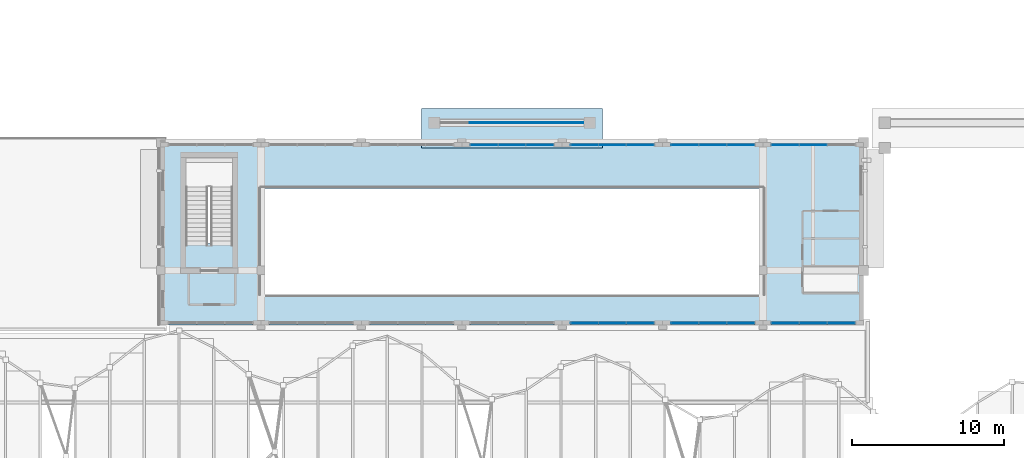
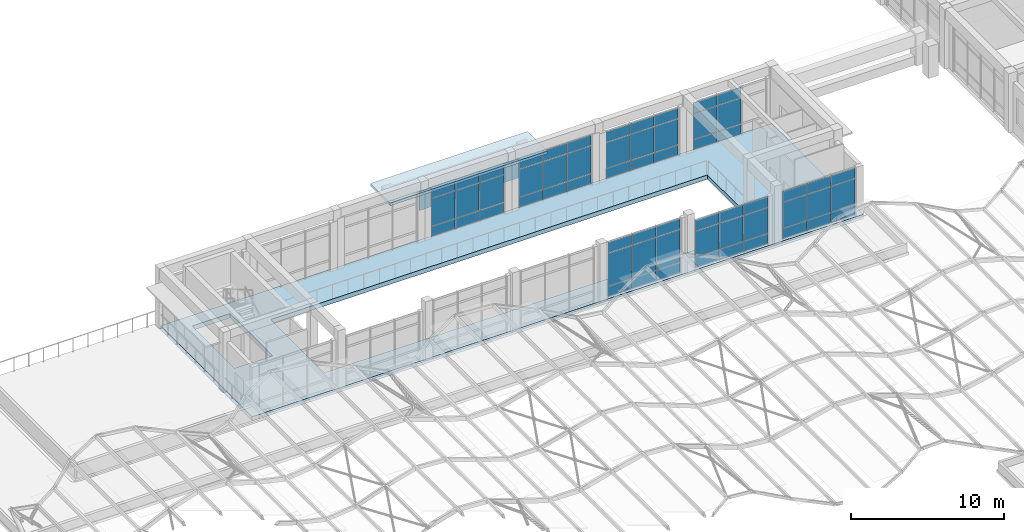
# One storey, part 39 of 79: 64 plates, 2 slabs, 7 elements without a shape of their own.
"""IFC4 building model written with IfcOpenShell, lengths in metres."""

from ifc_helpers import new_model, si_unit, direction, frame, origin, origin_2d, place, context, subcontext, project, spatial, polyline, rectangle, outline, extrude, material, layer, layer_set, type_object, element, aggregate, save


model = new_model("IFC4")

# Units and contexts
model_context = context("Model", 3, precision=1e-05, world=origin(), true_north=direction((0.0, 1.0)))
body_context = subcontext(model_context, "Body", "Model", "MODEL_VIEW")
ifc_project = project(units=[si_unit("LENGTHUNIT", "METRE"), si_unit("AREAUNIT", "SQUARE_METRE"), si_unit("VOLUMEUNIT", "CUBIC_METRE"), si_unit("PLANEANGLEUNIT", "RADIAN"), si_unit("MASSUNIT", "GRAM", prefix="KILO")], contexts=[model_context])

# Site, building, storey
site_placement = place(None, origin())
site = spatial("IfcSite", under=ifc_project, at=site_placement, CompositionType="ELEMENT")
building_placement = place(site_placement, origin())
building = spatial("IfcBuilding", under=site, at=building_placement, Name="Kolvaren Faculty of Natural Sciences", CompositionType="ELEMENT")
storey_placement = place(building_placement, frame((0.0, 0.0, 10.199951171875)))
storey = spatial("IfcBuildingStorey", under=building, at=storey_placement, Name="L02", CompositionType="ELEMENT", Elevation=10.199951171875)

# Slab
ifc_material_1 = material(Name="Precast concrete C35/45", Category="concrete")
ifc_layer_1 = layer(ifc_material_1, 0.139892578125)
ifc_layer_set_1 = layer_set([ifc_layer_1], Name="Precast concrete C35/45")
slab_type_1 = type_object("IfcSlabType", Name="ChhajjaSlopedEaveSlab_140", PredefinedType="ROOF", material=ifc_layer_set_1)
slab_1_placement = place(storey_placement, frame((0.0, 0.0, 3.780029296875)))
element("IfcSlab", 1, at=slab_1_placement, inside=storey, type_object=slab_type_1, Name="North Civic Square Grand Atrium Pishtaq Portal projecting Mughal chhajja cornice slab", PredefinedType="ROOF", context=body_context, shape_type="SweptSolid", body=[
    extrude(outline(polyline([(76.75, 83.85009765625), (88.64990234375, 83.85009765625), (88.64990234375, 86.449951171875), (76.75, 86.449951171875), (76.75, 83.85009765625)])), origin(), (0.0, 0.0, 1.0), 0.219970703125),
])

# Curtain wall, plates
ifc_material_2 = material(Name="Thermally broken anodised aluminium framing", Category="aluminium")
ifc_layer_2 = layer(ifc_material_2, 0.179931640625)
ifc_layer_set_2 = layer_set([ifc_layer_2], Name="Thermally broken anodised aluminium framing")
curtain_wall_type = type_object("IfcCurtainWallType", Name="AtriumCurtainWall_CW01", PredefinedType="NOTDEFINED", material=ifc_layer_set_2)
curtain_wall_1_placement = place(storey_placement, origin())
curtain_wall_1 = element("IfcCurtainWall", 2, at=curtain_wall_1_placement, inside=storey, type_object=curtain_wall_type, Name="L02 unitised curtain wall CW-01 (CW-L02-119)", PredefinedType="NOTDEFINED")
ifc_material_3 = material(Name="Double low-E solar control insulated glazing", Category="glass")
ifc_layer_3 = layer(ifc_material_3, 0.035888671875)
ifc_layer_set_3 = layer_set([ifc_layer_3], Name="Double low-E solar control insulated glazing")
plate_type_1 = type_object("IfcPlateType", Name="EnvelopePlate_CWPGL1", PredefinedType="CURTAIN_PANEL", material=ifc_layer_set_3)
plate_1_placement = place(storey_placement, frame((104.333251953125, 72.35009765625, 0.920166015625), z_axis=(0.0, 0.0, 1.0), x_axis=(-1.0, 0.0, 0.0)))
plate_1 = element("IfcPlate", 3, at=plate_1_placement, type_object=plate_type_1, Name="CW-L02-119 panel 1 V1", PredefinedType="CURTAIN_PANEL", context=body_context, shape_type="SweptSolid", body=[
    extrude(rectangle(XDim=1.783203125, YDim=0.035888671875, at=origin_2d()), origin(), (0.0, 0.0, 1.0), 2.044921875),
])
plate_2_placement = place(storey_placement, frame((102.5, 72.35009765625, 0.920166015625), z_axis=(0.0, 0.0, 1.0), x_axis=(-1.0, 0.0, 0.0)))
plate_2 = element("IfcPlate", 4, at=plate_2_placement, type_object=plate_type_1, Name="CW-L02-119 panel 2 V1", PredefinedType="CURTAIN_PANEL", context=body_context, shape_type="SweptSolid", body=[
    extrude(rectangle(XDim=1.783203125, YDim=0.035888671875, at=origin_2d()), origin(), (0.0, 0.0, 1.0), 2.044921875),
])
plate_3_placement = place(storey_placement, frame((100.666748046875, 72.35009765625, 0.920166015625), z_axis=(0.0, 0.0, 1.0), x_axis=(-1.0, 0.0, 0.0)))
plate_3 = element("IfcPlate", 5, at=plate_3_placement, type_object=plate_type_1, Name="CW-L02-119 panel 3 V1", PredefinedType="CURTAIN_PANEL", context=body_context, shape_type="SweptSolid", body=[
    extrude(rectangle(XDim=1.783203125, YDim=0.035888671875, at=origin_2d()), origin(), (0.0, 0.0, 1.0), 2.044921875),
])

curtain_wall_2_placement = place(storey_placement, origin())
curtain_wall_2 = element("IfcCurtainWall", 6, at=curtain_wall_2_placement, inside=storey, type_object=curtain_wall_type, Name="L02 unitised curtain wall CW-01 (CW-L02-120)", PredefinedType="NOTDEFINED")
plate_4_placement = place(storey_placement, frame((97.7333984375, 72.35009765625, 0.920166015625), z_axis=(0.0, 0.0, 1.0), x_axis=(-1.0, 0.0, 0.0)))
plate_4 = element("IfcPlate", 7, at=plate_4_placement, type_object=plate_type_1, Name="CW-L02-120 panel 1 V1", PredefinedType="CURTAIN_PANEL", context=body_context, shape_type="SweptSolid", body=[
    extrude(rectangle(XDim=1.783203125, YDim=0.035888671875, at=origin_2d()), origin(), (0.0, 0.0, 1.0), 2.044921875),
])
plate_5_placement = place(storey_placement, frame((95.89990234375, 72.35009765625, 0.920166015625), z_axis=(0.0, 0.0, 1.0), x_axis=(-1.0, 0.0, 0.0)))
plate_5 = element("IfcPlate", 8, at=plate_5_placement, type_object=plate_type_1, Name="CW-L02-120 panel 2 V1", PredefinedType="CURTAIN_PANEL", context=body_context, shape_type="SweptSolid", body=[
    extrude(rectangle(XDim=1.783203125, YDim=0.035888671875, at=origin_2d()), origin(), (0.0, 0.0, 1.0), 2.044921875),
])
plate_6_placement = place(storey_placement, frame((94.066650390625, 72.35009765625, 0.920166015625), z_axis=(0.0, 0.0, 1.0), x_axis=(-1.0, 0.0, 0.0)))
plate_6 = element("IfcPlate", 9, at=plate_6_placement, type_object=plate_type_1, Name="CW-L02-120 panel 3 V1", PredefinedType="CURTAIN_PANEL", context=body_context, shape_type="SweptSolid", body=[
    extrude(rectangle(XDim=1.783203125, YDim=0.035888671875, at=origin_2d()), origin(), (0.0, 0.0, 1.0), 2.044921875),
])

curtain_wall_3_placement = place(storey_placement, origin())
curtain_wall_3 = element("IfcCurtainWall", 10, at=curtain_wall_3_placement, inside=storey, type_object=curtain_wall_type, Name="L02 unitised curtain wall CW-01 (CW-L02-121)", PredefinedType="NOTDEFINED")
plate_7_placement = place(storey_placement, frame((91.13330078125, 72.35009765625, 0.919921875), z_axis=(0.0, 0.0, 1.0), x_axis=(-1.0, 0.0, 0.0)))
plate_7 = element("IfcPlate", 11, at=plate_7_placement, type_object=plate_type_1, Name="CW-L02-121 panel 1 V1", PredefinedType="CURTAIN_PANEL", context=body_context, shape_type="SweptSolid", body=[
    extrude(rectangle(XDim=1.783203125, YDim=0.035888671875, at=origin_2d()), origin(), (0.0, 0.0, 1.0), 2.610107421875),
])
plate_8_placement = place(storey_placement, frame((89.300048828125, 72.35009765625, 0.919921875), z_axis=(0.0, 0.0, 1.0), x_axis=(-1.0, 0.0, 0.0)))
plate_8 = element("IfcPlate", 12, at=plate_8_placement, type_object=plate_type_1, Name="CW-L02-121 panel 2 V1", PredefinedType="CURTAIN_PANEL", context=body_context, shape_type="SweptSolid", body=[
    extrude(rectangle(XDim=1.783203125, YDim=0.035888671875, at=origin_2d()), origin(), (0.0, 0.0, 1.0), 2.610107421875),
])
plate_9_placement = place(storey_placement, frame((87.466796875, 72.35009765625, 0.919921875), z_axis=(0.0, 0.0, 1.0), x_axis=(-1.0, 0.0, 0.0)))
plate_9 = element("IfcPlate", 13, at=plate_9_placement, type_object=plate_type_1, Name="CW-L02-121 panel 3 V1", PredefinedType="CURTAIN_PANEL", context=body_context, shape_type="SweptSolid", body=[
    extrude(rectangle(XDim=1.783203125, YDim=0.035888671875, at=origin_2d()), origin(), (0.0, 0.0, 1.0), 2.610107421875),
])

curtain_wall_4_placement = place(storey_placement, origin())
curtain_wall_4 = element("IfcCurtainWall", 14, at=curtain_wall_4_placement, inside=storey, type_object=curtain_wall_type, Name="L02 unitised curtain wall CW-01 (CW-L02-129)", PredefinedType="NOTDEFINED")
plate_10_placement = place(storey_placement, frame((80.86669921875, 84.050048828125, 0.919921875), z_axis=(0.0, 0.0, 1.0), x_axis=(1.0, 0.0, 0.0)))
plate_10 = element("IfcPlate", 15, at=plate_10_placement, type_object=plate_type_1, Name="CW-L02-129 panel 1 V1", PredefinedType="CURTAIN_PANEL", context=body_context, shape_type="SweptSolid", body=[
    extrude(rectangle(XDim=1.783203125, YDim=0.035888671875, at=origin_2d()), origin(), (0.0, 0.0, 1.0), 2.195068359375),
])
plate_11_placement = place(storey_placement, frame((82.699951171875, 84.050048828125, 0.919921875), z_axis=(0.0, 0.0, 1.0), x_axis=(1.0, 0.0, 0.0)))
plate_11 = element("IfcPlate", 16, at=plate_11_placement, type_object=plate_type_1, Name="CW-L02-129 panel 2 V1", PredefinedType="CURTAIN_PANEL", context=body_context, shape_type="SweptSolid", body=[
    extrude(rectangle(XDim=1.783203125, YDim=0.035888671875, at=origin_2d()), origin(), (0.0, 0.0, 1.0), 2.195068359375),
])
plate_12_placement = place(storey_placement, frame((84.533203125, 84.050048828125, 0.919921875), z_axis=(0.0, 0.0, 1.0), x_axis=(1.0, 0.0, 0.0)))
plate_12 = element("IfcPlate", 17, at=plate_12_placement, type_object=plate_type_1, Name="CW-L02-129 panel 3 V1", PredefinedType="CURTAIN_PANEL", context=body_context, shape_type="SweptSolid", body=[
    extrude(rectangle(XDim=1.783203125, YDim=0.035888671875, at=origin_2d()), origin(), (0.0, 0.0, 1.0), 2.195068359375),
])

curtain_wall_5_placement = place(storey_placement, origin())
curtain_wall_5 = element("IfcCurtainWall", 18, at=curtain_wall_5_placement, inside=storey, type_object=curtain_wall_type, Name="L02 unitised curtain wall CW-01 (CW-L02-130)", PredefinedType="NOTDEFINED")
plate_13_placement = place(storey_placement, frame((87.466796875, 84.050048828125, 0.919921875), z_axis=(0.0, 0.0, 1.0), x_axis=(1.0, 0.0, 0.0)))
plate_13 = element("IfcPlate", 19, at=plate_13_placement, type_object=plate_type_1, Name="CW-L02-130 panel 1 V1", PredefinedType="CURTAIN_PANEL", context=body_context, shape_type="SweptSolid", body=[
    extrude(rectangle(XDim=1.783203125, YDim=0.035888671875, at=origin_2d()), origin(), (0.0, 0.0, 1.0), 2.195068359375),
])
plate_14_placement = place(storey_placement, frame((89.300048828125, 84.050048828125, 0.919921875), z_axis=(0.0, 0.0, 1.0), x_axis=(1.0, 0.0, 0.0)))
plate_14 = element("IfcPlate", 20, at=plate_14_placement, type_object=plate_type_1, Name="CW-L02-130 panel 2 V1", PredefinedType="CURTAIN_PANEL", context=body_context, shape_type="SweptSolid", body=[
    extrude(rectangle(XDim=1.783203125, YDim=0.035888671875, at=origin_2d()), origin(), (0.0, 0.0, 1.0), 2.195068359375),
])
plate_15_placement = place(storey_placement, frame((91.13330078125, 84.050048828125, 0.919921875), z_axis=(0.0, 0.0, 1.0), x_axis=(1.0, 0.0, 0.0)))
plate_15 = element("IfcPlate", 21, at=plate_15_placement, type_object=plate_type_1, Name="CW-L02-130 panel 3 V1", PredefinedType="CURTAIN_PANEL", context=body_context, shape_type="SweptSolid", body=[
    extrude(rectangle(XDim=1.783203125, YDim=0.035888671875, at=origin_2d()), origin(), (0.0, 0.0, 1.0), 2.195068359375),
])

curtain_wall_6_placement = place(storey_placement, origin())
curtain_wall_6 = element("IfcCurtainWall", 22, at=curtain_wall_6_placement, inside=storey, type_object=curtain_wall_type, Name="L02 unitised curtain wall CW-01 (CW-L02-131)", PredefinedType="NOTDEFINED")
plate_16_placement = place(storey_placement, frame((94.066650390625, 84.050048828125, 0.920166015625), z_axis=(0.0, 0.0, 1.0), x_axis=(1.0, 0.0, 0.0)))
plate_16 = element("IfcPlate", 23, at=plate_16_placement, type_object=plate_type_1, Name="CW-L02-131 panel 1 V1", PredefinedType="CURTAIN_PANEL", context=body_context, shape_type="SweptSolid", body=[
    extrude(rectangle(XDim=1.783203125, YDim=0.035888671875, at=origin_2d()), origin(), (0.0, 0.0, 1.0), 2.044921875),
])
plate_17_placement = place(storey_placement, frame((95.89990234375, 84.050048828125, 0.920166015625), z_axis=(0.0, 0.0, 1.0), x_axis=(1.0, 0.0, 0.0)))
plate_17 = element("IfcPlate", 24, at=plate_17_placement, type_object=plate_type_1, Name="CW-L02-131 panel 2 V1", PredefinedType="CURTAIN_PANEL", context=body_context, shape_type="SweptSolid", body=[
    extrude(rectangle(XDim=1.783203125, YDim=0.035888671875, at=origin_2d()), origin(), (0.0, 0.0, 1.0), 2.044921875),
])
plate_18_placement = place(storey_placement, frame((97.7333984375, 84.050048828125, 0.920166015625), z_axis=(0.0, 0.0, 1.0), x_axis=(1.0, 0.0, 0.0)))
plate_18 = element("IfcPlate", 25, at=plate_18_placement, type_object=plate_type_1, Name="CW-L02-131 panel 3 V1", PredefinedType="CURTAIN_PANEL", context=body_context, shape_type="SweptSolid", body=[
    extrude(rectangle(XDim=1.783203125, YDim=0.035888671875, at=origin_2d()), origin(), (0.0, 0.0, 1.0), 2.044921875),
])

curtain_wall_7_placement = place(storey_placement, origin())
curtain_wall_7 = element("IfcCurtainWall", 26, at=curtain_wall_7_placement, inside=storey, type_object=curtain_wall_type, Name="L02 unitised curtain wall CW-01 (CW-L02-132)", PredefinedType="NOTDEFINED")
plate_19_placement = place(storey_placement, frame((100.666748046875, 84.050048828125, 0.920166015625), z_axis=(0.0, 0.0, 1.0), x_axis=(1.0, 0.0, 0.0)))
plate_19 = element("IfcPlate", 27, at=plate_19_placement, type_object=plate_type_1, Name="CW-L02-132 panel 1 V1", PredefinedType="CURTAIN_PANEL", context=body_context, shape_type="SweptSolid", body=[
    extrude(rectangle(XDim=1.783203125, YDim=0.035888671875, at=origin_2d()), origin(), (0.0, 0.0, 1.0), 2.044921875),
])
plate_20_placement = place(storey_placement, frame((102.5, 84.050048828125, 0.920166015625), z_axis=(0.0, 0.0, 1.0), x_axis=(1.0, 0.0, 0.0)))
plate_20 = element("IfcPlate", 28, at=plate_20_placement, type_object=plate_type_1, Name="CW-L02-132 panel 2 V1", PredefinedType="CURTAIN_PANEL", context=body_context, shape_type="SweptSolid", body=[
    extrude(rectangle(XDim=1.783203125, YDim=0.035888671875, at=origin_2d()), origin(), (0.0, 0.0, 1.0), 2.044921875),
])

# Plate
ifc_layer_4 = layer(ifc_material_3, 0.035888671875)
ifc_layer_set_4 = layer_set([ifc_layer_4], Name="Double low-E solar control insulated glazing")
plate_type_2 = type_object("IfcPlateType", Name="EnvelopePlate_CWPGL2", PredefinedType="CURTAIN_PANEL", material=ifc_layer_set_4)
plate_21_placement = place(storey_placement, frame((104.333251953125, 72.35009765625, 3.005126953125), z_axis=(0.0, 0.0, 1.0), x_axis=(-1.0, 0.0, 0.0)))
plate_21 = element("IfcPlate", 29, at=plate_21_placement, type_object=plate_type_2, Name="CW-L02-119 panel 1 V2", PredefinedType="CURTAIN_PANEL", context=body_context, shape_type="SweptSolid", body=[
    extrude(rectangle(XDim=1.783203125, YDim=0.035888671875, at=origin_2d()), origin(), (0.0, 0.0, 1.0), 0.830078125),
])

plate_22_placement = place(storey_placement, frame((102.5, 72.35009765625, 3.005126953125), z_axis=(0.0, 0.0, 1.0), x_axis=(-1.0, 0.0, 0.0)))
plate_22 = element("IfcPlate", 30, at=plate_22_placement, type_object=plate_type_2, Name="CW-L02-119 panel 2 V2", PredefinedType="CURTAIN_PANEL", context=body_context, shape_type="SweptSolid", body=[
    extrude(rectangle(XDim=1.783203125, YDim=0.035888671875, at=origin_2d()), origin(), (0.0, 0.0, 1.0), 0.830078125),
])

plate_23_placement = place(storey_placement, frame((100.666748046875, 72.35009765625, 3.005126953125), z_axis=(0.0, 0.0, 1.0), x_axis=(-1.0, 0.0, 0.0)))
plate_23 = element("IfcPlate", 31, at=plate_23_placement, type_object=plate_type_2, Name="CW-L02-119 panel 3 V2", PredefinedType="CURTAIN_PANEL", context=body_context, shape_type="SweptSolid", body=[
    extrude(rectangle(XDim=1.783203125, YDim=0.035888671875, at=origin_2d()), origin(), (0.0, 0.0, 1.0), 0.830078125),
])

plate_24_placement = place(storey_placement, frame((97.7333984375, 72.35009765625, 3.005126953125), z_axis=(0.0, 0.0, 1.0), x_axis=(-1.0, 0.0, 0.0)))
plate_24 = element("IfcPlate", 32, at=plate_24_placement, type_object=plate_type_2, Name="CW-L02-120 panel 1 V2", PredefinedType="CURTAIN_PANEL", context=body_context, shape_type="SweptSolid", body=[
    extrude(rectangle(XDim=1.783203125, YDim=0.035888671875, at=origin_2d()), origin(), (0.0, 0.0, 1.0), 0.830078125),
])

plate_25_placement = place(storey_placement, frame((95.89990234375, 72.35009765625, 3.005126953125), z_axis=(0.0, 0.0, 1.0), x_axis=(-1.0, 0.0, 0.0)))
plate_25 = element("IfcPlate", 33, at=plate_25_placement, type_object=plate_type_2, Name="CW-L02-120 panel 2 V2", PredefinedType="CURTAIN_PANEL", context=body_context, shape_type="SweptSolid", body=[
    extrude(rectangle(XDim=1.783203125, YDim=0.035888671875, at=origin_2d()), origin(), (0.0, 0.0, 1.0), 0.830078125),
])

plate_26_placement = place(storey_placement, frame((94.066650390625, 72.35009765625, 3.005126953125), z_axis=(0.0, 0.0, 1.0), x_axis=(-1.0, 0.0, 0.0)))
plate_26 = element("IfcPlate", 34, at=plate_26_placement, type_object=plate_type_2, Name="CW-L02-120 panel 3 V2", PredefinedType="CURTAIN_PANEL", context=body_context, shape_type="SweptSolid", body=[
    extrude(rectangle(XDim=1.783203125, YDim=0.035888671875, at=origin_2d()), origin(), (0.0, 0.0, 1.0), 0.830078125),
])

plate_27_placement = place(storey_placement, frame((91.13330078125, 72.35009765625, 3.570068359375), z_axis=(0.0, 0.0, 1.0), x_axis=(-1.0, 0.0, 0.0)))
plate_27 = element("IfcPlate", 35, at=plate_27_placement, type_object=plate_type_2, Name="CW-L02-121 panel 1 V2", PredefinedType="CURTAIN_PANEL", context=body_context, shape_type="SweptSolid", body=[
    extrude(rectangle(XDim=1.783203125, YDim=0.035888671875, at=origin_2d()), origin(), (0.0, 0.0, 1.0), 0.830078125),
])

plate_28_placement = place(storey_placement, frame((89.300048828125, 72.35009765625, 3.570068359375), z_axis=(0.0, 0.0, 1.0), x_axis=(-1.0, 0.0, 0.0)))
plate_28 = element("IfcPlate", 36, at=plate_28_placement, type_object=plate_type_2, Name="CW-L02-121 panel 2 V2", PredefinedType="CURTAIN_PANEL", context=body_context, shape_type="SweptSolid", body=[
    extrude(rectangle(XDim=1.783203125, YDim=0.035888671875, at=origin_2d()), origin(), (0.0, 0.0, 1.0), 0.830078125),
])

plate_29_placement = place(storey_placement, frame((87.466796875, 72.35009765625, 3.570068359375), z_axis=(0.0, 0.0, 1.0), x_axis=(-1.0, 0.0, 0.0)))
plate_29 = element("IfcPlate", 37, at=plate_29_placement, type_object=plate_type_2, Name="CW-L02-121 panel 3 V2", PredefinedType="CURTAIN_PANEL", context=body_context, shape_type="SweptSolid", body=[
    extrude(rectangle(XDim=1.783203125, YDim=0.035888671875, at=origin_2d()), origin(), (0.0, 0.0, 1.0), 0.830078125),
])

plate_30_placement = place(storey_placement, frame((80.86669921875, 84.050048828125, 3.155029296875), z_axis=(0.0, 0.0, 1.0), x_axis=(1.0, 0.0, 0.0)))
plate_30 = element("IfcPlate", 38, at=plate_30_placement, type_object=plate_type_2, Name="CW-L02-129 panel 1 V2", PredefinedType="CURTAIN_PANEL", context=body_context, shape_type="SweptSolid", body=[
    extrude(rectangle(XDim=1.783203125, YDim=0.035888671875, at=origin_2d()), origin(), (0.0, 0.0, 1.0), 0.830078125),
])

plate_31_placement = place(storey_placement, frame((82.699951171875, 84.050048828125, 3.155029296875), z_axis=(0.0, 0.0, 1.0), x_axis=(1.0, 0.0, 0.0)))
plate_31 = element("IfcPlate", 39, at=plate_31_placement, type_object=plate_type_2, Name="CW-L02-129 panel 2 V2", PredefinedType="CURTAIN_PANEL", context=body_context, shape_type="SweptSolid", body=[
    extrude(rectangle(XDim=1.783203125, YDim=0.035888671875, at=origin_2d()), origin(), (0.0, 0.0, 1.0), 0.830078125),
])

plate_32_placement = place(storey_placement, frame((84.533203125, 84.050048828125, 3.155029296875), z_axis=(0.0, 0.0, 1.0), x_axis=(1.0, 0.0, 0.0)))
plate_32 = element("IfcPlate", 40, at=plate_32_placement, type_object=plate_type_2, Name="CW-L02-129 panel 3 V2", PredefinedType="CURTAIN_PANEL", context=body_context, shape_type="SweptSolid", body=[
    extrude(rectangle(XDim=1.783203125, YDim=0.035888671875, at=origin_2d()), origin(), (0.0, 0.0, 1.0), 0.830078125),
])

plate_33_placement = place(storey_placement, frame((87.466796875, 84.050048828125, 3.155029296875), z_axis=(0.0, 0.0, 1.0), x_axis=(1.0, 0.0, 0.0)))
plate_33 = element("IfcPlate", 41, at=plate_33_placement, type_object=plate_type_2, Name="CW-L02-130 panel 1 V2", PredefinedType="CURTAIN_PANEL", context=body_context, shape_type="SweptSolid", body=[
    extrude(rectangle(XDim=1.783203125, YDim=0.035888671875, at=origin_2d()), origin(), (0.0, 0.0, 1.0), 0.830078125),
])

plate_34_placement = place(storey_placement, frame((89.300048828125, 84.050048828125, 3.155029296875), z_axis=(0.0, 0.0, 1.0), x_axis=(1.0, 0.0, 0.0)))
plate_34 = element("IfcPlate", 42, at=plate_34_placement, type_object=plate_type_2, Name="CW-L02-130 panel 2 V2", PredefinedType="CURTAIN_PANEL", context=body_context, shape_type="SweptSolid", body=[
    extrude(rectangle(XDim=1.783203125, YDim=0.035888671875, at=origin_2d()), origin(), (0.0, 0.0, 1.0), 0.830078125),
])

plate_35_placement = place(storey_placement, frame((91.13330078125, 84.050048828125, 3.155029296875), z_axis=(0.0, 0.0, 1.0), x_axis=(1.0, 0.0, 0.0)))
plate_35 = element("IfcPlate", 43, at=plate_35_placement, type_object=plate_type_2, Name="CW-L02-130 panel 3 V2", PredefinedType="CURTAIN_PANEL", context=body_context, shape_type="SweptSolid", body=[
    extrude(rectangle(XDim=1.783203125, YDim=0.035888671875, at=origin_2d()), origin(), (0.0, 0.0, 1.0), 0.830078125),
])

plate_36_placement = place(storey_placement, frame((94.066650390625, 84.050048828125, 3.005126953125), z_axis=(0.0, 0.0, 1.0), x_axis=(1.0, 0.0, 0.0)))
plate_36 = element("IfcPlate", 44, at=plate_36_placement, type_object=plate_type_2, Name="CW-L02-131 panel 1 V2", PredefinedType="CURTAIN_PANEL", context=body_context, shape_type="SweptSolid", body=[
    extrude(rectangle(XDim=1.783203125, YDim=0.035888671875, at=origin_2d()), origin(), (0.0, 0.0, 1.0), 0.830078125),
])

plate_37_placement = place(storey_placement, frame((95.89990234375, 84.050048828125, 3.005126953125), z_axis=(0.0, 0.0, 1.0), x_axis=(1.0, 0.0, 0.0)))
plate_37 = element("IfcPlate", 45, at=plate_37_placement, type_object=plate_type_2, Name="CW-L02-131 panel 2 V2", PredefinedType="CURTAIN_PANEL", context=body_context, shape_type="SweptSolid", body=[
    extrude(rectangle(XDim=1.783203125, YDim=0.035888671875, at=origin_2d()), origin(), (0.0, 0.0, 1.0), 0.830078125),
])

plate_38_placement = place(storey_placement, frame((97.7333984375, 84.050048828125, 3.005126953125), z_axis=(0.0, 0.0, 1.0), x_axis=(1.0, 0.0, 0.0)))
plate_38 = element("IfcPlate", 46, at=plate_38_placement, type_object=plate_type_2, Name="CW-L02-131 panel 3 V2", PredefinedType="CURTAIN_PANEL", context=body_context, shape_type="SweptSolid", body=[
    extrude(rectangle(XDim=1.783203125, YDim=0.035888671875, at=origin_2d()), origin(), (0.0, 0.0, 1.0), 0.830078125),
])

plate_39_placement = place(storey_placement, frame((100.666748046875, 84.050048828125, 3.005126953125), z_axis=(0.0, 0.0, 1.0), x_axis=(1.0, 0.0, 0.0)))
plate_39 = element("IfcPlate", 47, at=plate_39_placement, type_object=plate_type_2, Name="CW-L02-132 panel 1 V2", PredefinedType="CURTAIN_PANEL", context=body_context, shape_type="SweptSolid", body=[
    extrude(rectangle(XDim=1.783203125, YDim=0.035888671875, at=origin_2d()), origin(), (0.0, 0.0, 1.0), 0.830078125),
])

plate_40_placement = place(storey_placement, frame((102.5, 84.050048828125, 3.005126953125), z_axis=(0.0, 0.0, 1.0), x_axis=(1.0, 0.0, 0.0)))
plate_40 = element("IfcPlate", 48, at=plate_40_placement, type_object=plate_type_2, Name="CW-L02-132 panel 2 V2", PredefinedType="CURTAIN_PANEL", context=body_context, shape_type="SweptSolid", body=[
    extrude(rectangle(XDim=1.783203125, YDim=0.035888671875, at=origin_2d()), origin(), (0.0, 0.0, 1.0), 0.830078125),
])

ifc_material_4 = material(Name="Insulated anodised aluminium spandrel panel", Category="aluminium")
ifc_layer_5 = layer(ifc_material_4, 0.050048828125)
ifc_layer_set_5 = layer_set([ifc_layer_5], Name="Insulated anodised aluminium spandrel panel")
plate_type_3 = type_object("IfcPlateType", Name="EnvelopePlate_CWPSP1", PredefinedType="SHEET", material=ifc_layer_set_5)
plate_41_placement = place(storey_placement, frame((104.333251953125, 72.35009765625, 0.10009765625), z_axis=(0.0, 0.0, 1.0), x_axis=(-1.0, 0.0, 0.0)))
plate_41 = element("IfcPlate", 49, at=plate_41_placement, type_object=plate_type_3, Name="CW-L02-119 panel 1 SP", PredefinedType="SHEET", context=body_context, shape_type="SweptSolid", body=[
    extrude(rectangle(XDim=1.783203125, YDim=0.050048828125, at=origin_2d()), origin(), (0.0, 0.0, 1.0), 0.780029296875),
])

plate_42_placement = place(storey_placement, frame((102.5, 72.35009765625, 0.10009765625), z_axis=(0.0, 0.0, 1.0), x_axis=(-1.0, 0.0, 0.0)))
plate_42 = element("IfcPlate", 50, at=plate_42_placement, type_object=plate_type_3, Name="CW-L02-119 panel 2 SP", PredefinedType="SHEET", context=body_context, shape_type="SweptSolid", body=[
    extrude(rectangle(XDim=1.783203125, YDim=0.050048828125, at=origin_2d()), origin(), (0.0, 0.0, 1.0), 0.780029296875),
])

plate_43_placement = place(storey_placement, frame((100.666748046875, 72.35009765625, 0.10009765625), z_axis=(0.0, 0.0, 1.0), x_axis=(-1.0, 0.0, 0.0)))
plate_43 = element("IfcPlate", 51, at=plate_43_placement, type_object=plate_type_3, Name="CW-L02-119 panel 3 SP", PredefinedType="SHEET", context=body_context, shape_type="SweptSolid", body=[
    extrude(rectangle(XDim=1.783203125, YDim=0.050048828125, at=origin_2d()), origin(), (0.0, 0.0, 1.0), 0.780029296875),
])

aggregate(curtain_wall_1, [plate_41, plate_1, plate_21, plate_42, plate_2, plate_22, plate_43, plate_3, plate_23])

plate_44_placement = place(storey_placement, frame((97.7333984375, 72.35009765625, 0.10009765625), z_axis=(0.0, 0.0, 1.0), x_axis=(-1.0, 0.0, 0.0)))
plate_44 = element("IfcPlate", 52, at=plate_44_placement, type_object=plate_type_3, Name="CW-L02-120 panel 1 SP", PredefinedType="SHEET", context=body_context, shape_type="SweptSolid", body=[
    extrude(rectangle(XDim=1.783203125, YDim=0.050048828125, at=origin_2d()), origin(), (0.0, 0.0, 1.0), 0.780029296875),
])

plate_45_placement = place(storey_placement, frame((95.89990234375, 72.35009765625, 0.10009765625), z_axis=(0.0, 0.0, 1.0), x_axis=(-1.0, 0.0, 0.0)))
plate_45 = element("IfcPlate", 53, at=plate_45_placement, type_object=plate_type_3, Name="CW-L02-120 panel 2 SP", PredefinedType="SHEET", context=body_context, shape_type="SweptSolid", body=[
    extrude(rectangle(XDim=1.783203125, YDim=0.050048828125, at=origin_2d()), origin(), (0.0, 0.0, 1.0), 0.780029296875),
])

plate_46_placement = place(storey_placement, frame((94.066650390625, 72.35009765625, 0.10009765625), z_axis=(0.0, 0.0, 1.0), x_axis=(-1.0, 0.0, 0.0)))
plate_46 = element("IfcPlate", 54, at=plate_46_placement, type_object=plate_type_3, Name="CW-L02-120 panel 3 SP", PredefinedType="SHEET", context=body_context, shape_type="SweptSolid", body=[
    extrude(rectangle(XDim=1.783203125, YDim=0.050048828125, at=origin_2d()), origin(), (0.0, 0.0, 1.0), 0.780029296875),
])

aggregate(curtain_wall_2, [plate_44, plate_4, plate_24, plate_45, plate_5, plate_25, plate_46, plate_6, plate_26])

plate_47_placement = place(storey_placement, frame((91.13330078125, 72.35009765625, 0.10009765625), z_axis=(0.0, 0.0, 1.0), x_axis=(-1.0, 0.0, 0.0)))
plate_47 = element("IfcPlate", 55, at=plate_47_placement, type_object=plate_type_3, Name="CW-L02-121 panel 1 SP", PredefinedType="SHEET", context=body_context, shape_type="SweptSolid", body=[
    extrude(rectangle(XDim=1.783203125, YDim=0.050048828125, at=origin_2d()), origin(), (0.0, 0.0, 1.0), 0.780029296875),
])

plate_48_placement = place(storey_placement, frame((89.300048828125, 72.35009765625, 0.10009765625), z_axis=(0.0, 0.0, 1.0), x_axis=(-1.0, 0.0, 0.0)))
plate_48 = element("IfcPlate", 56, at=plate_48_placement, type_object=plate_type_3, Name="CW-L02-121 panel 2 SP", PredefinedType="SHEET", context=body_context, shape_type="SweptSolid", body=[
    extrude(rectangle(XDim=1.783203125, YDim=0.050048828125, at=origin_2d()), origin(), (0.0, 0.0, 1.0), 0.780029296875),
])

plate_49_placement = place(storey_placement, frame((87.466796875, 72.35009765625, 0.10009765625), z_axis=(0.0, 0.0, 1.0), x_axis=(-1.0, 0.0, 0.0)))
plate_49 = element("IfcPlate", 57, at=plate_49_placement, type_object=plate_type_3, Name="CW-L02-121 panel 3 SP", PredefinedType="SHEET", context=body_context, shape_type="SweptSolid", body=[
    extrude(rectangle(XDim=1.783203125, YDim=0.050048828125, at=origin_2d()), origin(), (0.0, 0.0, 1.0), 0.780029296875),
])

aggregate(curtain_wall_3, [plate_47, plate_7, plate_27, plate_48, plate_8, plate_28, plate_49, plate_9, plate_29])

plate_50_placement = place(storey_placement, frame((80.86669921875, 84.050048828125, 0.10009765625), z_axis=(0.0, 0.0, 1.0), x_axis=(1.0, 0.0, 0.0)))
plate_50 = element("IfcPlate", 58, at=plate_50_placement, type_object=plate_type_3, Name="CW-L02-129 panel 1 SP", PredefinedType="SHEET", context=body_context, shape_type="SweptSolid", body=[
    extrude(rectangle(XDim=1.783203125, YDim=0.050048828125, at=origin_2d()), origin(), (0.0, 0.0, 1.0), 0.780029296875),
])

plate_51_placement = place(storey_placement, frame((82.699951171875, 84.050048828125, 0.10009765625), z_axis=(0.0, 0.0, 1.0), x_axis=(1.0, 0.0, 0.0)))
plate_51 = element("IfcPlate", 59, at=plate_51_placement, type_object=plate_type_3, Name="CW-L02-129 panel 2 SP", PredefinedType="SHEET", context=body_context, shape_type="SweptSolid", body=[
    extrude(rectangle(XDim=1.783203125, YDim=0.050048828125, at=origin_2d()), origin(), (0.0, 0.0, 1.0), 0.780029296875),
])

plate_52_placement = place(storey_placement, frame((84.533203125, 84.050048828125, 0.10009765625), z_axis=(0.0, 0.0, 1.0), x_axis=(1.0, 0.0, 0.0)))
plate_52 = element("IfcPlate", 60, at=plate_52_placement, type_object=plate_type_3, Name="CW-L02-129 panel 3 SP", PredefinedType="SHEET", context=body_context, shape_type="SweptSolid", body=[
    extrude(rectangle(XDim=1.783203125, YDim=0.050048828125, at=origin_2d()), origin(), (0.0, 0.0, 1.0), 0.780029296875),
])

aggregate(curtain_wall_4, [plate_50, plate_10, plate_30, plate_51, plate_11, plate_31, plate_52, plate_12, plate_32])

plate_53_placement = place(storey_placement, frame((87.466796875, 84.050048828125, 0.10009765625), z_axis=(0.0, 0.0, 1.0), x_axis=(1.0, 0.0, 0.0)))
plate_53 = element("IfcPlate", 61, at=plate_53_placement, type_object=plate_type_3, Name="CW-L02-130 panel 1 SP", PredefinedType="SHEET", context=body_context, shape_type="SweptSolid", body=[
    extrude(rectangle(XDim=1.783203125, YDim=0.050048828125, at=origin_2d()), origin(), (0.0, 0.0, 1.0), 0.780029296875),
])

plate_54_placement = place(storey_placement, frame((89.300048828125, 84.050048828125, 0.10009765625), z_axis=(0.0, 0.0, 1.0), x_axis=(1.0, 0.0, 0.0)))
plate_54 = element("IfcPlate", 62, at=plate_54_placement, type_object=plate_type_3, Name="CW-L02-130 panel 2 SP", PredefinedType="SHEET", context=body_context, shape_type="SweptSolid", body=[
    extrude(rectangle(XDim=1.783203125, YDim=0.050048828125, at=origin_2d()), origin(), (0.0, 0.0, 1.0), 0.780029296875),
])

plate_55_placement = place(storey_placement, frame((91.13330078125, 84.050048828125, 0.10009765625), z_axis=(0.0, 0.0, 1.0), x_axis=(1.0, 0.0, 0.0)))
plate_55 = element("IfcPlate", 63, at=plate_55_placement, type_object=plate_type_3, Name="CW-L02-130 panel 3 SP", PredefinedType="SHEET", context=body_context, shape_type="SweptSolid", body=[
    extrude(rectangle(XDim=1.783203125, YDim=0.050048828125, at=origin_2d()), origin(), (0.0, 0.0, 1.0), 0.780029296875),
])

aggregate(curtain_wall_5, [plate_53, plate_13, plate_33, plate_54, plate_14, plate_34, plate_55, plate_15, plate_35])

plate_56_placement = place(storey_placement, frame((94.066650390625, 84.050048828125, 0.10009765625), z_axis=(0.0, 0.0, 1.0), x_axis=(1.0, 0.0, 0.0)))
plate_56 = element("IfcPlate", 64, at=plate_56_placement, type_object=plate_type_3, Name="CW-L02-131 panel 1 SP", PredefinedType="SHEET", context=body_context, shape_type="SweptSolid", body=[
    extrude(rectangle(XDim=1.783203125, YDim=0.050048828125, at=origin_2d()), origin(), (0.0, 0.0, 1.0), 0.780029296875),
])

plate_57_placement = place(storey_placement, frame((95.89990234375, 84.050048828125, 0.10009765625), z_axis=(0.0, 0.0, 1.0), x_axis=(1.0, 0.0, 0.0)))
plate_57 = element("IfcPlate", 65, at=plate_57_placement, type_object=plate_type_3, Name="CW-L02-131 panel 2 SP", PredefinedType="SHEET", context=body_context, shape_type="SweptSolid", body=[
    extrude(rectangle(XDim=1.783203125, YDim=0.050048828125, at=origin_2d()), origin(), (0.0, 0.0, 1.0), 0.780029296875),
])

plate_58_placement = place(storey_placement, frame((97.7333984375, 84.050048828125, 0.10009765625), z_axis=(0.0, 0.0, 1.0), x_axis=(1.0, 0.0, 0.0)))
plate_58 = element("IfcPlate", 66, at=plate_58_placement, type_object=plate_type_3, Name="CW-L02-131 panel 3 SP", PredefinedType="SHEET", context=body_context, shape_type="SweptSolid", body=[
    extrude(rectangle(XDim=1.783203125, YDim=0.050048828125, at=origin_2d()), origin(), (0.0, 0.0, 1.0), 0.780029296875),
])

aggregate(curtain_wall_6, [plate_56, plate_16, plate_36, plate_57, plate_17, plate_37, plate_58, plate_18, plate_38])

plate_59_placement = place(storey_placement, frame((100.666748046875, 84.050048828125, 0.10009765625), z_axis=(0.0, 0.0, 1.0), x_axis=(1.0, 0.0, 0.0)))
plate_59 = element("IfcPlate", 67, at=plate_59_placement, type_object=plate_type_3, Name="CW-L02-132 panel 1 SP", PredefinedType="SHEET", context=body_context, shape_type="SweptSolid", body=[
    extrude(rectangle(XDim=1.783203125, YDim=0.050048828125, at=origin_2d()), origin(), (0.0, 0.0, 1.0), 0.780029296875),
])

plate_60_placement = place(storey_placement, frame((102.5, 84.050048828125, 0.10009765625), z_axis=(0.0, 0.0, 1.0), x_axis=(1.0, 0.0, 0.0)))
plate_60 = element("IfcPlate", 68, at=plate_60_placement, type_object=plate_type_3, Name="CW-L02-132 panel 2 SP", PredefinedType="SHEET", context=body_context, shape_type="SweptSolid", body=[
    extrude(rectangle(XDim=1.783203125, YDim=0.050048828125, at=origin_2d()), origin(), (0.0, 0.0, 1.0), 0.780029296875),
])

aggregate(curtain_wall_7, [plate_59, plate_19, plate_39, plate_60, plate_20, plate_40])

# Plates
ifc_material_5 = material(Name="Extruded architectural terracotta screen", Category="masonry")
ifc_layer_6 = layer(ifc_material_5, 0.06494140625)
ifc_layer_set_6 = layer_set([ifc_layer_6], Name="Extruded architectural terracotta screen")
plate_type_4 = type_object("IfcPlateType", Name="EnvelopePlate_JL01", PredefinedType="USERDEFINED", material=ifc_layer_set_6)
for number, where, z_axis, x_axis, name in (
    (69, (80.820068359375, 85.5, 1.31005859375), (0.0, 0.0, 1.0), (1.0, 0.0, 0.0), "North Civic Square Grand Atrium Pishtaq Portal perforated terracotta jali tympanum panel 2"),
    (70, (82.699951171875, 85.5, 1.31005859375), (0.0, 0.0, 1.0), (1.0, 0.0, 0.0), "North Civic Square Grand Atrium Pishtaq Portal perforated terracotta jali tympanum panel 3"),
    (71, (84.580078125, 85.5, 1.31005859375), (0.0, 0.0, 1.0), (1.0, 0.0, 0.0), "North Civic Square Grand Atrium Pishtaq Portal perforated terracotta jali tympanum panel 4"),
    (72, (86.4599609375, 85.5, 1.31005859375), (0.0, 0.0, 1.0), (1.0, 0.0, 0.0), "North Civic Square Grand Atrium Pishtaq Portal perforated terracotta jali tympanum panel 5"),
):
    element("IfcPlate", number, at=place(storey_placement, frame(where, z_axis=z_axis, x_axis=x_axis)), inside=storey, type_object=plate_type_4, Name=name, ObjectType="SCREEN", PredefinedType="USERDEFINED", context=body_context, shape_type="SweptSolid", body=[
        extrude(rectangle(XDim=1.820068359375, YDim=0.06494140625, at=origin_2d()), origin(), (0.0, 0.0, 1.0), 1.530029296875),
    ])

# Slab
ifc_material_6 = material(Name="Concrete C40/50", Category="concrete")
ifc_layer_7 = layer(ifc_material_6, 0.35009765625)
ifc_layer_set_7 = layer_set([ifc_layer_7], Name="Concrete C40/50")
slab_type_2 = type_object("IfcSlabType", Name="TransferSlab_350", PredefinedType="FLOOR", material=ifc_layer_set_7)
slab_2_placement = place(storey_placement, frame((0.0, 0.0, -0.349853515625)))
element("IfcSlab", 73, at=slab_2_placement, inside=storey, type_object=slab_type_2, Name="L02 V3 structural slab 1", PredefinedType="FLOOR", context=body_context, shape_type="SweptSolid", body=[
    extrude(outline(polyline([(59.60009765625, 72.199951171875), (59.60009765625, 84.199951171875), (105.800048828125, 84.199951171875), (105.800048828125, 72.199951171875), (59.60009765625, 72.199951171875)]), holes=[polyline([(99.199951171875, 81.199951171875), (66.199951171875, 81.199951171875), (66.199951171875, 74.199951171875), (99.199951171875, 74.199951171875), (99.199951171875, 81.199951171875)]), polyline([(64.22998046875, 83.1298828125), (61.3701171875, 83.1298828125), (61.3701171875, 77.570068359375), (64.22998046875, 77.570068359375), (64.22998046875, 83.1298828125)])]), origin(), (0.0, 0.0, 1.0), 0.349853515625),
])

save(model, "model.ifc")
